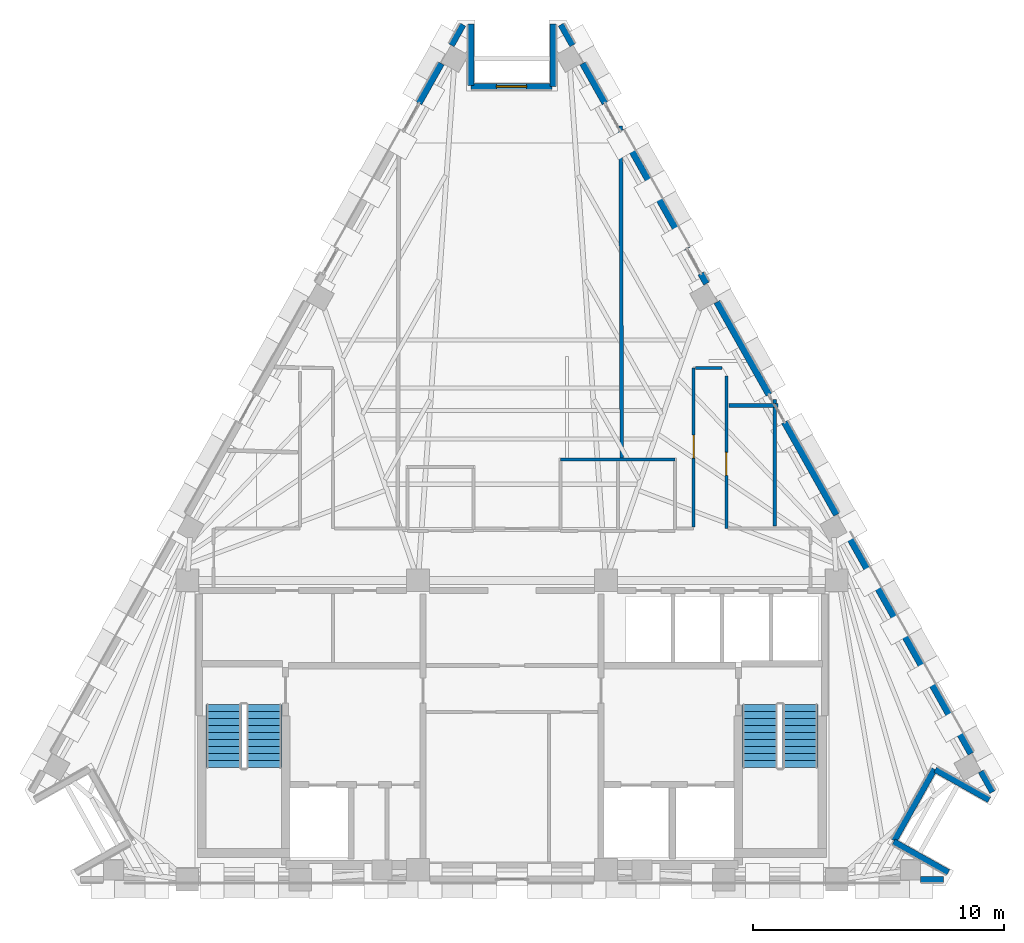
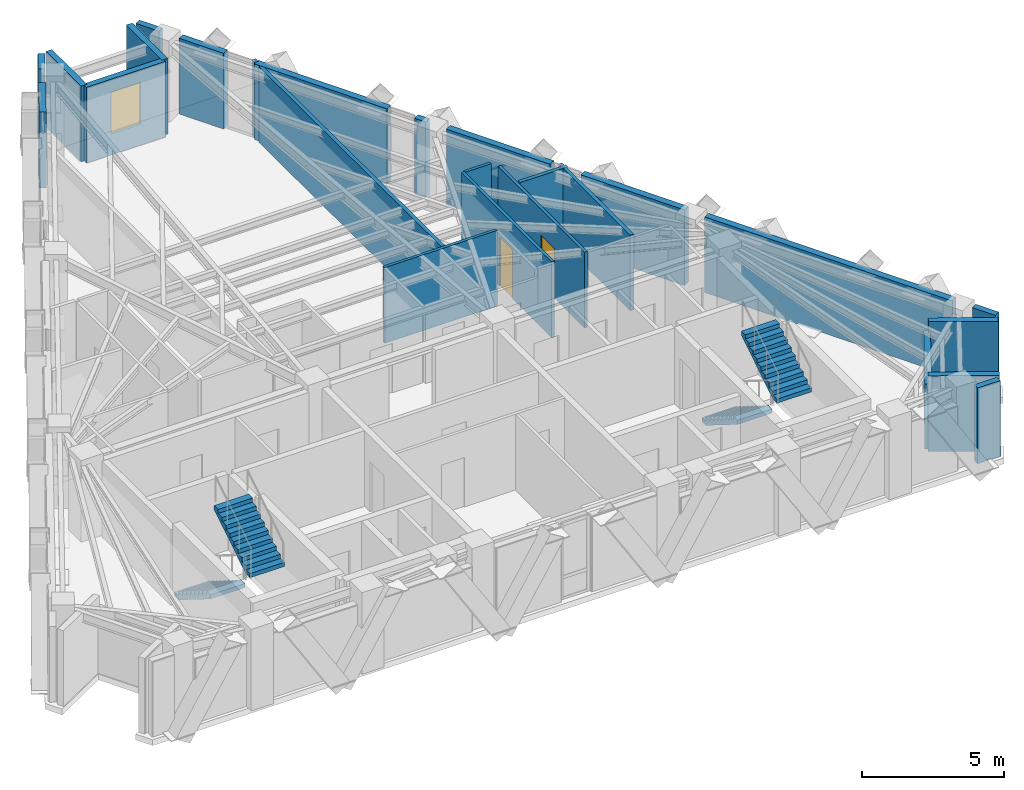
# One storey, part 7 of 9: 26 walls, 4 stair flights, 2 doors, 1 window, 3 openings, 2 elements without a shape of their own.
"""IFC4 building model written with IfcOpenShell, lengths in metres."""

from ifc_helpers import new_model, si_unit, direction, frame, frame_2d, origin, place, context, subcontext, project, spatial, polyline, rectangle, outline, extrude, material, layer, layer_set, type_object, element, fill, aggregate, save


model = new_model("IFC4")

# Units and contexts
model_context = context("Model", 3, precision=1e-05, world=origin(), true_north=direction((0.0, 1.0)))
body_context = subcontext(model_context, "Body", "Model", "MODEL_VIEW")
ifc_project = project(units=[si_unit("LENGTHUNIT", "METRE"), si_unit("AREAUNIT", "SQUARE_METRE"), si_unit("VOLUMEUNIT", "CUBIC_METRE"), si_unit("PLANEANGLEUNIT", "RADIAN"), si_unit("MASSUNIT", "GRAM", prefix="KILO")], contexts=[model_context])

# Site, building, storey
site_placement = place(None, origin())
site = spatial("IfcSite", under=ifc_project, at=site_placement, CompositionType="ELEMENT")
building_placement = place(site_placement, origin())
building = spatial("IfcBuilding", under=site, at=building_placement, Name="Quenlor Broadcast Tower", CompositionType="ELEMENT")
storey_placement = place(building_placement, frame((0.0, 0.0, 239.39990234375)))
storey = spatial("IfcBuildingStorey", under=building, at=storey_placement, Name="L66", CompositionType="ELEMENT", Elevation=239.39990234375)

# Walls
ifc_material_1 = material(Name="Acoustic Double Stud Gypsum Partition", Category="other")
ifc_layer_1 = layer(ifc_material_1, 0.14990234375)
ifc_layer_set_1 = layer_set([ifc_layer_1], Name="Broadcast Studio Acoustic Partition 150")
wall_type_1 = type_object("IfcWallType", Name="Broadcast Studio Acoustic Partition 150", PredefinedType="PARTITIONING", material=ifc_layer_set_1)
wall_1_placement = place(storey_placement, frame((4.33935546875, 13.338623046875, 0.0), z_axis=(0.0, 0.0, 1.0), x_axis=(0.003875939878, -0.999992488517, 0.0)))
element("IfcWall", 1, at=wall_1_placement, inside=storey, type_object=wall_type_1, Name="L66 Interior Wall PW-DV-01", PredefinedType="PARTITIONING", context=body_context, shape_type="SweptSolid", body=[
    extrude(rectangle(XDim=0.18896484375, YDim=0.14990234375, at=frame_2d((0.094482421875, 0.0))), origin(), (0.0, 0.0, 1.0), 3.25),
])
wall_2_placement = place(storey_placement, frame((4.3408203125, 12.852783203125, 0.0), z_axis=(0.0, 0.0, 1.0), x_axis=(0.003061132057, -0.999995314724, 0.0)))
element("IfcWall", 2, at=wall_2_placement, inside=storey, type_object=wall_type_1, Name="L66 Interior Wall PW-DV-01S2", PredefinedType="PARTITIONING", context=body_context, shape_type="SweptSolid", body=[
    extrude(rectangle(XDim=12.7607421875, YDim=0.14990234375, at=frame_2d((6.38037109375, 0.0))), origin(), (0.0, 0.0, 1.0), 3.25),
])
wall_3_placement = place(storey_placement, frame((10.6162109375, 2.179931640625, 0.0), z_axis=(0.0, 0.0, 1.0), x_axis=(-1.0, 0.0, 0.0)))
element("IfcWall", 3, at=wall_3_placement, inside=storey, type_object=wall_type_1, Name="L66 Interior Wall PW-DV-03", PredefinedType="PARTITIONING", context=body_context, shape_type="SweptSolid", body=[
    extrude(rectangle(XDim=1.956298828125, YDim=0.14990234375, at=frame_2d((0.97802734375, 0.0))), origin(), (0.0, 0.0, 1.0), 3.25),
])
wall_4_placement = place(storey_placement, frame((10.47998046875, 2.422119140625, 0.0), z_axis=(0.0, 0.0, 1.0), x_axis=(0.0, -1.0, 0.0)))
element("IfcWall", 4, at=wall_4_placement, inside=storey, type_object=wall_type_1, Name="L66 Interior Wall PW-DV-06", PredefinedType="PARTITIONING", context=body_context, shape_type="SweptSolid", body=[
    extrude(rectangle(XDim=0.1650390625, YDim=0.14990234375, at=frame_2d((0.08251953125, 0.0))), origin(), (0.0, 0.0, 1.0), 3.25),
])
wall_5_placement = place(storey_placement, frame((10.47998046875, 2.10302734375, 0.0), z_axis=(0.0, 0.0, 1.0), x_axis=(0.0, -1.0, 0.0)))
element("IfcWall", 5, at=wall_5_placement, inside=storey, type_object=wall_type_1, Name="L66 Interior Wall PW-DV-06S2", PredefinedType="PARTITIONING", context=body_context, shape_type="SweptSolid", body=[
    extrude(rectangle(XDim=4.72314453125, YDim=0.14990234375, at=frame_2d((2.361572265625, 0.0))), origin(), (0.0, 0.0, 1.0), 3.25),
])
ifc_material_2 = material(Name="Gypsum Plasterboard Partition", Category="other")
ifc_layer_2 = layer(ifc_material_2, 0.1201171875)
ifc_layer_set_2 = layer_set([ifc_layer_2], Name="Standard Office Partition 120")
wall_type_2 = type_object("IfcWallType", Name="Standard Office Partition 120", PredefinedType="PARTITIONING", material=ifc_layer_set_2)
wall_6_placement = place(storey_placement, frame((1.93994140625, 0.030029296875, 0.0), z_axis=(0.0, 0.0, 1.0), x_axis=(1.0, 0.0, 0.0)))
element("IfcWall", 6, at=wall_6_placement, inside=storey, type_object=wall_type_2, Name="L66 Interior Wall PW-WC-N", PredefinedType="PARTITIONING", context=body_context, shape_type="SweptSolid", body=[
    extrude(rectangle(XDim=4.570068359375, YDim=0.1201171875, at=frame_2d((2.28515625, 0.0))), origin(), (0.0, 0.0, 1.0), 3.25),
])

# Wall, opening, door
wall_7_placement = place(storey_placement, frame((7.25, -2.66796875, 0.0), z_axis=(0.0, 0.0, 1.0), x_axis=(0.0, 1.0, 0.0)))
wall_7 = element("IfcWall", 7, at=wall_7_placement, inside=storey, type_object=wall_type_2, Name="L66 Interior Wall PW-CR-11", PredefinedType="PARTITIONING", context=body_context, shape_type="SweptSolid", body=[
    extrude(rectangle(XDim=6.347900390625, YDim=0.1201171875, at=frame_2d((3.173828125, 0.0))), origin(), (0.0, 0.0, 1.0), 3.25),
])
opening_1_placement = place(wall_7_placement, frame((2.742919921875, 0.0, 0.0)))
opening_1 = element("IfcOpeningElement", 8, at=opening_1_placement, cuts=wall_7, Name="Opening ID-1", PredefinedType="OPENING", context=body_context, shape_type="SweptSolid", body=[
    extrude(rectangle(XDim=0.919921875, YDim=2.1201171875, at=frame_2d((0.4599609375, 1.06005859375))), frame((0.0, 0.070068359375, 0.0), z_axis=(0.0, -1.0, 0.0), x_axis=(1.0, 0.0, 0.0)), (0.0, 0.0, 1.0), 0.14013671875),
])
ifc_material_3 = material(Name="Solid Core Timber Oak", Category="wood")
door_type = type_object("IfcDoorType", Name="Single Leaf Timber Office Door 920x2120", OperationType="NOTDEFINED", PredefinedType="DOOR", material=ifc_material_3)
door_1_placement = place(opening_1_placement, origin())
door_1 = element("IfcDoor", 9, at=door_1_placement, inside=storey, type_object=door_type, Name="L66 Door DR-RM02", OperationType="SINGLE_SWING_RIGHT", OverallHeight=2.1201171875, OverallWidth=0.919921875, PredefinedType="DOOR", context=body_context, shape_type="SweptSolid", body=[
    extrude(rectangle(XDim=0.919921875, YDim=2.1201171875, at=frame_2d((0.4599609375, 1.06005859375))), frame((0.0, 0.02490234375, 0.0), z_axis=(0.0, -1.0, 0.0), x_axis=(1.0, 0.0, 0.0)), (0.0, 0.0, 1.0), 0.050048828125),
])
fill(opening_1, door_1)

# Wall
wall_8_placement = place(storey_placement, frame((7.31201171875, 3.679931640625, 0.0), z_axis=(0.0, 0.0, 1.0), x_axis=(1.0, 0.0, 0.0)))
element("IfcWall", 10, at=wall_8_placement, inside=storey, type_object=wall_type_2, Name="L66 Interior Wall PW-CR-12", PredefinedType="PARTITIONING", context=body_context, shape_type="SweptSolid", body=[
    extrude(rectangle(XDim=1.060791015625, YDim=0.1201171875, at=frame_2d((0.5302734375, 0.0))), origin(), (0.0, 0.0, 1.0), 3.25),
])

# Wall, opening, door
wall_9_placement = place(storey_placement, frame((8.550048828125, 3.36474609375, 0.0), z_axis=(0.0, 0.0, 1.0), x_axis=(0.0, -1.0, 0.0)))
wall_9 = element("IfcWall", 11, at=wall_9_placement, inside=storey, type_object=wall_type_2, Name="L66 Interior Wall PW-CR-14", PredefinedType="PARTITIONING", context=body_context, shape_type="SweptSolid", body=[
    extrude(rectangle(XDim=6.0947265625, YDim=0.1201171875, at=frame_2d((3.04736328125, 0.0))), origin(), (0.0, 0.0, 1.0), 3.25),
])
opening_2_placement = place(wall_9_placement, frame((3.051025390625, 0.0, 0.0)))
opening_2 = element("IfcOpeningElement", 12, at=opening_2_placement, cuts=wall_9, Name="Opening ID-1", PredefinedType="OPENING", context=body_context, shape_type="SweptSolid", body=[
    extrude(rectangle(XDim=0.919921875, YDim=2.1201171875, at=frame_2d((0.4599609375, 1.06005859375))), frame((0.0, 0.070068359375, 0.0), z_axis=(0.0, -1.0, 0.0), x_axis=(1.0, 0.0, 0.0)), (0.0, 0.0, 1.0), 0.14013671875),
])
door_2_placement = place(opening_2_placement, origin())
door_2 = element("IfcDoor", 13, at=door_2_placement, inside=storey, type_object=door_type, Name="L66 Door DR-RM05", OperationType="SINGLE_SWING_LEFT", OverallHeight=2.1201171875, OverallWidth=0.919921875, PredefinedType="DOOR", context=body_context, shape_type="SweptSolid", body=[
    extrude(rectangle(XDim=0.919921875, YDim=2.1201171875, at=frame_2d((0.4599609375, 1.06005859375))), frame((0.0, 0.02490234375, 0.0), z_axis=(0.0, -1.0, 0.0), x_axis=(1.0, 0.0, 0.0)), (0.0, 0.0, 1.0), 0.050048828125),
])
fill(opening_2, door_2)

# Walls
ifc_material_4 = material(Name="Precast concrete C40/50", Category="concrete")
ifc_layer_3 = layer(ifc_material_4, 0.239990234375)
ifc_layer_set_3 = layer_set([ifc_layer_3], Name="Terrace Threshold Precast Concrete C40/50 Wall 240")
wall_type_3 = type_object("IfcWallType", Name="Terrace Threshold Precast Concrete C40/50 Wall 240", PredefinedType="STANDARD", material=ifc_layer_set_3)
wall_10_placement = place(storey_placement, frame((17.219970703125, -16.72509765625, 0.0), z_axis=(0.0, 0.0, 1.0), x_axis=(-1.0, 0.0, 0.0)))
element("IfcWall", 14, at=wall_10_placement, inside=storey, type_object=wall_type_3, Name="L66 Exterior Wall L66-SHD-SS0", PredefinedType="STANDARD", context=body_context, shape_type="SweptSolid", body=[
    extrude(rectangle(XDim=0.91748046875, YDim=0.239990234375, at=frame_2d((0.458740234375, 0.0))), origin(), (0.0, 0.0, 1.0), 3.25),
])
for number, where, z_axis, x_axis, name in (
    (15, (1.94970703125, 17.372802734375, 0.0), (0.0, 0.0, 1.0), (0.490199895283, -0.871610040479, 0.0), "L66 Exterior Wall L66-SHD-NES0"),
    (16, (18.707763671875, -12.4189453125, 0.0), (0.0, 0.0, 1.0), (0.490199895283, -0.871610040479, 0.0), "L66 Exterior Wall L66-SHD-NES1"),
    (17, (-2.412841796875, 16.54931640625, 0.0), (0.0, 0.0, 1.0), (0.490199895283, 0.871610040479, 0.0), "L66 Exterior Wall L66-SHD-NWS1"),
):
    element("IfcWall", number, at=place(storey_placement, frame(where, z_axis=z_axis, x_axis=x_axis)), inside=storey, type_object=wall_type_3, Name=name, PredefinedType="STANDARD", context=body_context, shape_type="SweptSolid", body=[
        extrude(rectangle(XDim=0.94482421875, YDim=0.239990234375, at=frame_2d((0.472412109375, 0.0))), origin(), (0.0, 0.0, 1.0), 3.25),
    ])
wall_11_placement = place(storey_placement, frame((17.40771484375, -16.446533203125, 0.0), z_axis=(0.0, 0.0, 1.0), x_axis=(-0.871588577066, 0.490238056792, 0.0)))
element("IfcWall", 18, at=wall_11_placement, inside=storey, type_object=wall_type_3, Name="L66 Exterior Wall L66-CNR-01", PredefinedType="STANDARD", context=body_context, shape_type="SweptSolid", body=[
    extrude(rectangle(XDim=2.5, YDim=0.239990234375, at=frame_2d((1.25, 0.0))), origin(), (0.0, 0.0, 1.0), 3.25),
])
wall_12_placement = place(storey_placement, frame((15.248291015625, -15.18603515625, 0.0), z_axis=(0.0, 0.0, 1.0), x_axis=(0.490293083368, 0.871557624258, 0.0)))
element("IfcWall", 19, at=wall_12_placement, inside=storey, type_object=wall_type_3, Name="L66 Exterior Wall L66-CNR-02", PredefinedType="STANDARD", context=body_context, shape_type="SweptSolid", body=[
    extrude(rectangle(XDim=3.276123046875, YDim=0.239990234375, at=frame_2d((1.63818359375, 0.0))), origin(), (0.0, 0.0, 1.0), 2.789794921875),
])
wall_13_placement = place(storey_placement, frame((16.889404296875, -12.350341796875, 0.0), z_axis=(0.0, 0.0, 1.0), x_axis=(0.87157023615, -0.490270663468, 0.0)))
element("IfcWall", 20, at=wall_13_placement, inside=storey, type_object=wall_type_3, Name="L66 Exterior Wall L66-CNR-03", PredefinedType="STANDARD", context=body_context, shape_type="SweptSolid", body=[
    extrude(rectangle(XDim=2.4599609375, YDim=0.239990234375, at=frame_2d((1.22998046875, 0.0))), origin(), (0.0, 0.0, 1.0), 3.25),
])
wall_14_placement = place(storey_placement, frame((1.62890625, 17.39990234375, 0.0), z_axis=(0.0, 0.0, 1.0), x_axis=(0.0, -1.0, 0.0)))
element("IfcWall", 21, at=wall_14_placement, inside=storey, type_object=wall_type_3, Name="L66 Exterior Wall L66-CNR-07", PredefinedType="STANDARD", context=body_context, shape_type="SweptSolid", body=[
    extrude(rectangle(XDim=2.5, YDim=0.239990234375, at=frame_2d((1.25, 0.0))), origin(), (0.0, 0.0, 1.0), 3.25),
])

# Wall, opening, window
wall_15_placement = place(storey_placement, frame((1.5888671875, 14.89990234375, 0.0), z_axis=(0.0, 0.0, 1.0), x_axis=(-1.0, 0.0, 0.0)))
wall_15 = element("IfcWall", 22, at=wall_15_placement, inside=storey, type_object=wall_type_3, Name="L66 Exterior Wall L66-CNR-08", PredefinedType="STANDARD", context=body_context, shape_type="SweptSolid", body=[
    extrude(rectangle(XDim=3.2177734375, YDim=0.239990234375, at=frame_2d((1.60888671875, 0.0))), origin(), (0.0, 0.0, 1.0), 3.25),
])
opening_3_placement = place(wall_15_placement, frame((1.009033203125, 0.0, 0.89990234375)))
opening_3 = element("IfcOpeningElement", 23, at=opening_3_placement, cuts=wall_15, Name="Opening WN-5", PredefinedType="OPENING", context=body_context, shape_type="SweptSolid", body=[
    extrude(rectangle(XDim=1.199951171875, YDim=1.800048828125, at=frame_2d((0.60009765625, 0.89990234375))), frame((0.0, 0.1298828125, 0.0), z_axis=(0.0, -1.0, 0.0), x_axis=(1.0, 0.0, 0.0)), (0.0, 0.0, 1.0), 0.260009765625),
])
ifc_material_5 = material(Name="Thermally Broken Aluminium and Low-E Glass", Category="aluminium")
window_type = type_object("IfcWindowType", Name="Corner Chamfer Punched Window 1200x1800", PartitioningType="SINGLE_PANEL", PredefinedType="WINDOW", material=ifc_material_5)
window_placement = place(opening_3_placement, origin())
window = element("IfcWindow", 24, at=window_placement, inside=storey, type_object=window_type, Name="L66 Corner Chamfer Window 8", OverallHeight=1.800048828125, OverallWidth=1.199951171875, PartitioningType="SINGLE_PANEL", PredefinedType="WINDOW", context=body_context, shape_type="SweptSolid", body=[
    extrude(rectangle(XDim=1.199951171875, YDim=1.800048828125, at=frame_2d((0.60009765625, 0.89990234375))), frame((0.0, 0.030029296875, 0.0), z_axis=(0.0, -1.0, 0.0), x_axis=(1.0, 0.0, 0.0)), (0.0, 0.0, 1.0), 0.06005859375),
])
fill(opening_3, window)

# Walls
wall_16_placement = place(storey_placement, frame((-1.62890625, 14.93994140625, 0.0), z_axis=(0.0, 0.0, 1.0), x_axis=(0.0, 1.0, 0.0)))
element("IfcWall", 25, at=wall_16_placement, inside=storey, type_object=wall_type_3, Name="L66 Exterior Wall L66-CNR-09", PredefinedType="STANDARD", context=body_context, shape_type="SweptSolid", body=[
    extrude(rectangle(XDim=2.4599609375, YDim=0.239990234375, at=frame_2d((1.22998046875, 0.0))), origin(), (0.0, 0.0, 1.0), 3.25),
])
ifc_material_6 = material(Name="Precast concrete C40/50", Category="concrete")
ifc_layer_4 = layer(ifc_material_6, 0.260009765625)
ifc_layer_set_4 = layer_set([ifc_layer_4], Name="Terracotta Precast Concrete C40/50 Upper Wall 260")
wall_type_4 = type_object("IfcWallType", Name="Terracotta Precast Concrete C40/50 Upper Wall 260", PredefinedType="STANDARD", material=ifc_layer_set_4)
wall_17_placement = place(storey_placement, frame((2.81982421875, 15.825927734375, 0.0), z_axis=(0.0, 0.0, 1.0), x_axis=(0.490261239633, -0.871575537125, 0.0)))
element("IfcWall", 26, at=wall_17_placement, inside=storey, type_object=wall_type_4, Name="L66 Exterior Wall L66-NEA-SP1", PredefinedType="STANDARD", context=body_context, shape_type="SweptSolid", body=[
    extrude(rectangle(XDim=1.819580078125, YDim=0.260009765625, at=frame_2d((0.90966796875, 0.0))), origin(), (0.0, 0.0, 1.0), 3.25),
])
wall_18_placement = place(storey_placement, frame((4.329833984375, 13.1416015625, 0.0), z_axis=(0.0, 0.0, 1.0), x_axis=(0.490265525523, -0.871573126297, 0.0)))
element("IfcWall", 27, at=wall_18_placement, inside=storey, type_object=wall_type_4, Name="L66 Exterior Wall L66-NEA-SP2", PredefinedType="STANDARD", context=body_context, shape_type="SweptSolid", body=[
    extrude(rectangle(XDim=5.408935546875, YDim=0.260009765625, at=frame_2d((2.70458984375, 0.0))), origin(), (0.0, 0.0, 1.0), 3.25),
])
wall_19_placement = place(storey_placement, frame((7.534423828125, 7.444580078125, 0.0), z_axis=(0.0, 0.0, 1.0), x_axis=(0.490412424957, -0.871490478116, 0.0)))
element("IfcWall", 28, at=wall_19_placement, inside=storey, type_object=wall_type_4, Name="L66 Exterior Wall L66-NEA-SP3", PredefinedType="STANDARD", context=body_context, shape_type="SweptSolid", body=[
    extrude(rectangle(XDim=0.4599609375, YDim=0.260009765625, at=frame_2d((0.22998046875, 0.0))), origin(), (0.0, 0.0, 1.0), 3.25),
])
wall_20_placement = place(storey_placement, frame((13.350830078125, -2.895751953125, 0.0), z_axis=(0.0, 0.0, 1.0), x_axis=(0.490266968583, -0.871572314565, 0.0)))
element("IfcWall", 29, at=wall_20_placement, inside=storey, type_object=wall_type_4, Name="L66 Exterior Wall L66-EW-NEC", PredefinedType="STANDARD", context=body_context, shape_type="SweptSolid", body=[
    extrude(rectangle(XDim=10.116455078125, YDim=0.260009765625, at=frame_2d((5.05810546875, 0.0))), origin(), (0.0, 0.0, 1.0), 3.25),
])
wall_21_placement = place(storey_placement, frame((8.17431640625, 6.30712890625, 0.0), z_axis=(0.0, 0.0, 1.0), x_axis=(0.490269447258, -0.871570920284, 0.0)))
element("IfcWall", 30, at=wall_21_placement, inside=storey, type_object=wall_type_4, Name="L66 Exterior Wall L66-NE-SP1", PredefinedType="STANDARD", context=body_context, shape_type="SweptSolid", body=[
    extrude(rectangle(XDim=4.23681640625, YDim=0.260009765625, at=frame_2d((2.118408203125, 0.0))), origin(), (0.0, 0.0, 1.0), 3.25),
])
wall_22_placement = place(storey_placement, frame((10.869140625, 1.51611328125, 0.0), z_axis=(0.0, 0.0, 1.0), x_axis=(0.490244825075, -0.871584770109, 0.0)))
element("IfcWall", 31, at=wall_22_placement, inside=storey, type_object=wall_type_4, Name="L66 Exterior Wall L66-NE-SP2", PredefinedType="STANDARD", context=body_context, shape_type="SweptSolid", body=[
    extrude(rectangle(XDim=4.237060546875, YDim=0.260009765625, at=frame_2d((2.11865234375, 0.0))), origin(), (0.0, 0.0, 1.0), 3.25),
])
wall_23_placement = place(storey_placement, frame((-3.7119140625, 14.239990234375, 0.0), z_axis=(0.0, 0.0, 1.0), x_axis=(0.490261239633, 0.871575537125, 0.0)))
element("IfcWall", 32, at=wall_23_placement, inside=storey, type_object=wall_type_4, Name="L66 Exterior Wall L66-NWC-SP3", PredefinedType="STANDARD", context=body_context, shape_type="SweptSolid", body=[
    extrude(rectangle(XDim=1.819580078125, YDim=0.260009765625, at=frame_2d((0.90966796875, 0.0))), origin(), (0.0, 0.0, 1.0), 3.25),
])

# Stair, stair flights
ifc_material_7 = material(Name="Precast concrete C40/50", Category="concrete")
stair_type = type_object("IfcStairType", Name="Precast Concrete C40/50 Dogleg Stair H350", PredefinedType="HALF_TURN_STAIR", material=ifc_material_7)
stair_1_placement = place(storey_placement, origin())
stair_1 = element("IfcStair", 33, at=stair_1_placement, inside=storey, type_object=stair_type, Name="L66 West Core Fire-Isolated Exit Stair ST-1", PredefinedType="HALF_TURN_STAIR")
ifc_material_8 = material(Name="Precast concrete C40/50", Category="concrete")
ifc_layer_5 = layer(ifc_material_8, 0.159912109375)
ifc_layer_set_5 = layer_set([ifc_layer_5], Name="Precast Concrete C40/50 Stair Flight H350")
stair_flight_type = type_object("IfcStairFlightType", Name="Precast Concrete C40/50 Stair Flight H350", PredefinedType="STRAIGHT", material=ifc_layer_set_5)
stair_flight_1_placement = place(storey_placement, frame((-11.5, -9.75, 0.0), z_axis=(0.0, 0.0, 1.0), x_axis=(0.0, -1.0, 0.0)))
stair_flight_1 = element("IfcStairFlight", 34, at=stair_flight_1_placement, type_object=stair_flight_type, Name="ST-1 flight 1", NumberOfRisers=10, NumberOfTreads=9, PredefinedType="STRAIGHT", RiserHeight=0.175, TreadLength=0.28, context=body_context, shape_type="SweptSolid", body=[
    extrude(outline(polyline([(0.0, 0.0), (0.0, 0.175048828125), (0.280029296875, 0.175048828125), (0.280029296875, 0.35009765625), (0.56005859375, 0.35009765625), (0.56005859375, 0.52490234375), (0.840087890625, 0.52490234375), (0.840087890625, 0.699951171875), (1.1201171875, 0.699951171875), (1.1201171875, 0.875), (1.39990234375, 0.875), (1.39990234375, 1.050048828125), (1.679931640625, 1.050048828125), (1.679931640625, 1.22509765625), (1.9599609375, 1.22509765625), (1.9599609375, 1.39990234375), (2.239990234375, 1.39990234375), (2.239990234375, 1.574951171875), (2.52001953125, 1.574951171875), (2.52001953125, 1.75), (2.52001953125, 1.398193359375), (0.28271484375, 0.0), (0.0, 0.0)])), frame((0.0, 0.699951171875, 0.0), z_axis=(0.0, -1.0, 0.0), x_axis=(1.0, 0.0, 0.0)), (0.0, 0.0, 1.0), 1.39990234375),
])
stair_flight_2_placement = place(storey_placement, frame((-9.89990234375, -12.27001953125, 1.75), z_axis=(0.0, 0.0, 1.0), x_axis=(0.0, 1.0, 0.0)))
stair_flight_2 = element("IfcStairFlight", 35, at=stair_flight_2_placement, type_object=stair_flight_type, Name="ST-1 flight 2", NumberOfRisers=10, NumberOfTreads=9, PredefinedType="STRAIGHT", RiserHeight=0.175, TreadLength=0.28, context=body_context, shape_type="SweptSolid", body=[
    extrude(outline(polyline([(0.0, 0.0), (0.0, 0.175048828125), (0.280029296875, 0.175048828125), (0.280029296875, 0.35009765625), (0.56005859375, 0.35009765625), (0.56005859375, 0.52490234375), (0.840087890625, 0.52490234375), (0.840087890625, 0.699951171875), (1.1201171875, 0.699951171875), (1.1201171875, 0.875), (1.39990234375, 0.875), (1.39990234375, 1.050048828125), (1.679931640625, 1.050048828125), (1.679931640625, 1.22509765625), (1.9599609375, 1.22509765625), (1.9599609375, 1.39990234375), (2.239990234375, 1.39990234375), (2.239990234375, 1.574951171875), (2.52001953125, 1.574951171875), (2.52001953125, 1.75), (2.52001953125, 1.398193359375), (0.28271484375, 0.0), (0.0, 0.0)])), frame((0.0, 0.699951171875, 0.0), z_axis=(0.0, -1.0, 0.0), x_axis=(1.0, 0.0, 0.0)), (0.0, 0.0, 1.0), 1.39990234375),
])
aggregate(stair_1, [stair_flight_1, stair_flight_2])

stair_2_placement = place(storey_placement, origin())
stair_2 = element("IfcStair", 36, at=stair_2_placement, inside=storey, type_object=stair_type, Name="L66 East Core Fire-Isolated Exit Stair ST-2", PredefinedType="HALF_TURN_STAIR")
stair_flight_3_placement = place(storey_placement, frame((9.89990234375, -9.75, 0.0), z_axis=(0.0, 0.0, 1.0), x_axis=(0.0, -1.0, 0.0)))
stair_flight_3 = element("IfcStairFlight", 37, at=stair_flight_3_placement, type_object=stair_flight_type, Name="ST-2 flight 1", NumberOfRisers=10, NumberOfTreads=9, PredefinedType="STRAIGHT", RiserHeight=0.175, TreadLength=0.28, context=body_context, shape_type="SweptSolid", body=[
    extrude(outline(polyline([(0.0, 0.0), (0.0, 0.175048828125), (0.280029296875, 0.175048828125), (0.280029296875, 0.35009765625), (0.56005859375, 0.35009765625), (0.56005859375, 0.52490234375), (0.840087890625, 0.52490234375), (0.840087890625, 0.699951171875), (1.1201171875, 0.699951171875), (1.1201171875, 0.875), (1.39990234375, 0.875), (1.39990234375, 1.050048828125), (1.679931640625, 1.050048828125), (1.679931640625, 1.22509765625), (1.9599609375, 1.22509765625), (1.9599609375, 1.39990234375), (2.239990234375, 1.39990234375), (2.239990234375, 1.574951171875), (2.52001953125, 1.574951171875), (2.52001953125, 1.75), (2.52001953125, 1.398193359375), (0.28271484375, 0.0), (0.0, 0.0)])), frame((0.0, 0.699951171875, 0.0), z_axis=(0.0, -1.0, 0.0), x_axis=(1.0, 0.0, 0.0)), (0.0, 0.0, 1.0), 1.39990234375),
])
stair_flight_4_placement = place(storey_placement, frame((11.5, -12.27001953125, 1.75), z_axis=(0.0, 0.0, 1.0), x_axis=(0.0, 1.0, 0.0)))
stair_flight_4 = element("IfcStairFlight", 38, at=stair_flight_4_placement, type_object=stair_flight_type, Name="ST-2 flight 2", NumberOfRisers=10, NumberOfTreads=9, PredefinedType="STRAIGHT", RiserHeight=0.175, TreadLength=0.28, context=body_context, shape_type="SweptSolid", body=[
    extrude(outline(polyline([(0.0, 0.0), (0.0, 0.175048828125), (0.280029296875, 0.175048828125), (0.280029296875, 0.35009765625), (0.56005859375, 0.35009765625), (0.56005859375, 0.52490234375), (0.840087890625, 0.52490234375), (0.840087890625, 0.699951171875), (1.1201171875, 0.699951171875), (1.1201171875, 0.875), (1.39990234375, 0.875), (1.39990234375, 1.050048828125), (1.679931640625, 1.050048828125), (1.679931640625, 1.22509765625), (1.9599609375, 1.22509765625), (1.9599609375, 1.39990234375), (2.239990234375, 1.39990234375), (2.239990234375, 1.574951171875), (2.52001953125, 1.574951171875), (2.52001953125, 1.75), (2.52001953125, 1.398193359375), (0.28271484375, 0.0), (0.0, 0.0)])), frame((0.0, 0.699951171875, 0.0), z_axis=(0.0, -1.0, 0.0), x_axis=(1.0, 0.0, 0.0)), (0.0, 0.0, 1.0), 1.39990234375),
])
aggregate(stair_2, [stair_flight_3, stair_flight_4])

save(model, "model.ifc")
